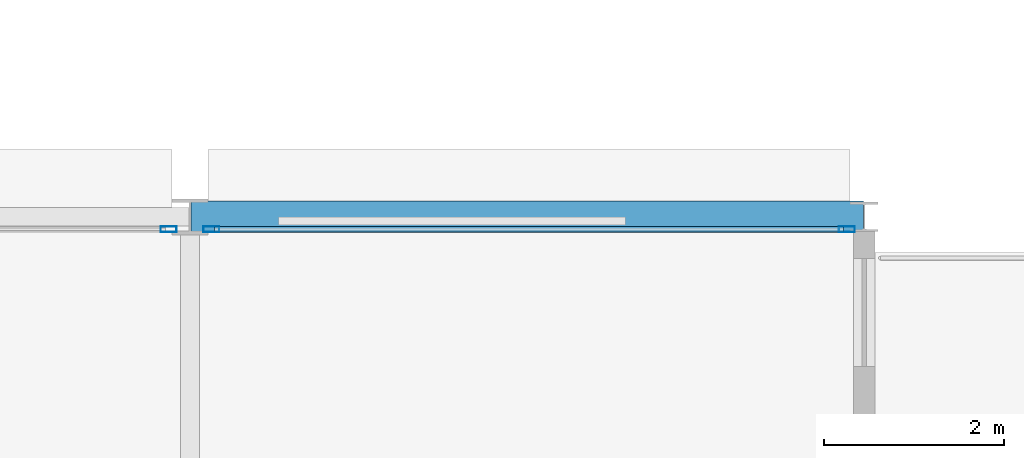
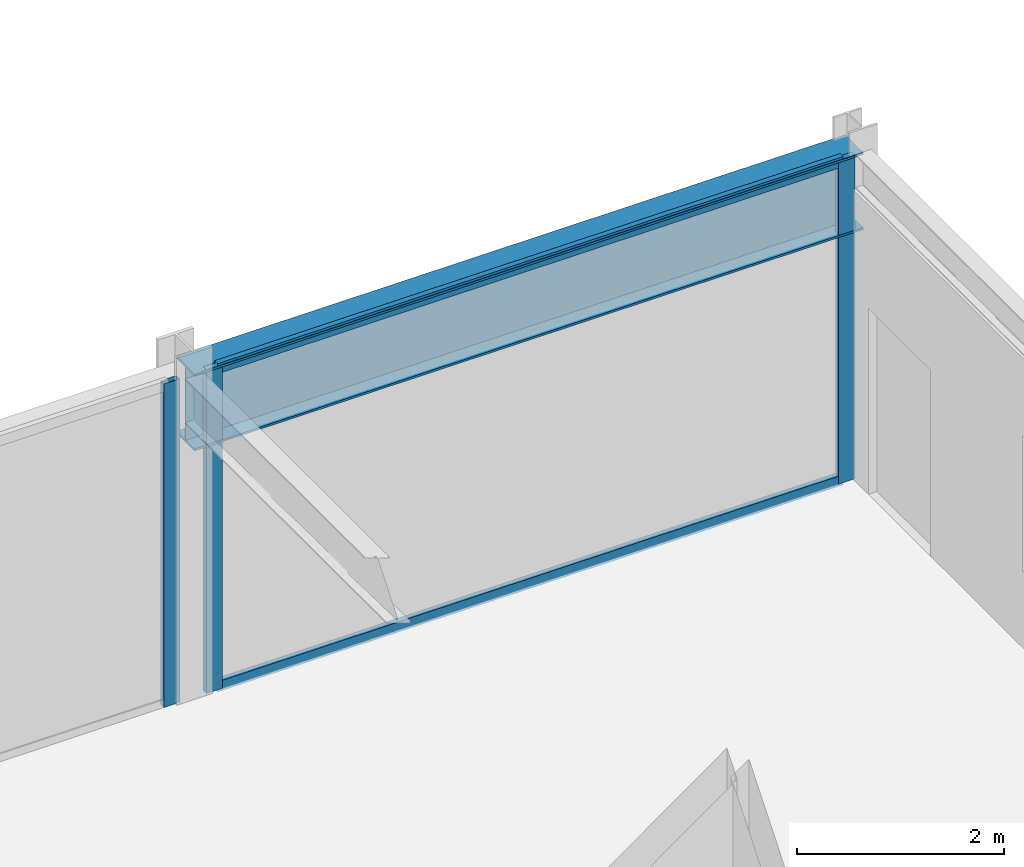
# One storey, part 22 of 39: 5 members, 1 beam, 2 elements without a shape of their own.
"""IFC4 building model written with IfcOpenShell, lengths in metres."""

from ifc_helpers import new_model, si_unit, direction, frame, origin, origin_2d, place, context, subcontext, project, spatial, hollow_rectangle, i_section, extrude, material, layer, layer_set, material_profile, profile_set, type_object, element, aggregate, save


model = new_model("IFC4")

# Units and contexts
model_context = context("Model", 3, precision=1e-05, world=origin(), true_north=direction((0.0, 1.0)))
body_context = subcontext(model_context, "Body", "Model", "MODEL_VIEW")
ifc_project = project(units=[si_unit("LENGTHUNIT", "METRE"), si_unit("AREAUNIT", "SQUARE_METRE"), si_unit("VOLUMEUNIT", "CUBIC_METRE"), si_unit("PLANEANGLEUNIT", "RADIAN"), si_unit("MASSUNIT", "GRAM", prefix="KILO")], contexts=[model_context])

# Site, building, storey
site_placement = place(None, origin())
site = spatial("IfcSite", under=ifc_project, at=site_placement, CompositionType="ELEMENT")
building_placement = place(site_placement, origin())
building = spatial("IfcBuilding", under=site, at=building_placement, Name="Nerrivon Quay Data Exchange", CompositionType="ELEMENT")
storey_placement = place(building_placement, frame((0.0, 0.0, 104.89990234375)))
storey = spatial("IfcBuildingStorey", under=building, at=storey_placement, Name="L24", CompositionType="ELEMENT", Elevation=104.89990234375)

# Beam
ifc_material_1 = material(Name="Steel Grade 350", Category="steel")
ifc_material_profile_1 = material_profile(ifc_material_1, i_section(OverallWidth=0.35009765625, OverallDepth=0.909912109375, WebThickness=0.011962890625, FlangeThickness=0.02490234375, at=origin_2d()), Name="900WB218")
ifc_profile_set_1 = profile_set([ifc_material_profile_1], Name="Steel Grade 350")
beam_type = type_object("IfcBeamType", Name="BM-CANT-900WB", PredefinedType="USERDEFINED", material=ifc_profile_set_1)
beam_placement = place(storey_placement, frame((50.41259765625, 25.199951171875, 3.3701171875), z_axis=(1.0, 0.0, 0.0), x_axis=(0.0, 1.0, 0.0)))
element("IfcBeam", 1, at=beam_placement, inside=storey, type_object=beam_type, Name="L24 East Hooked Cantilever Girder Y=25.2", ObjectType="TRANSFER", PredefinedType="USERDEFINED", context=body_context, shape_type="SweptSolid", body=[
    extrude(i_section(OverallWidth=0.35009765625, OverallDepth=0.909912109375, WebThickness=0.011962890625, FlangeThickness=0.02490234375, at=origin_2d()), origin(), (0.0, 0.0, 1.0), 7.4794921875),
])

# Curtain wall, member
ifc_material_2 = material(Name="Anodised aluminium 6063-T6", Category="aluminium")
ifc_layer_1 = layer(ifc_material_2, 0.2099609375)
ifc_layer_set_1 = layer_set([ifc_layer_1], Name="Anodised aluminium 6063-T6")
curtain_wall_type_1 = type_object("IfcCurtainWallType", Name="CW-SYS-02", PredefinedType="NOTDEFINED", material=ifc_layer_set_1)
curtain_wall_1_placement = place(storey_placement, origin())
curtain_wall_1 = element("IfcCurtainWall", 2, at=curtain_wall_1_placement, inside=storey, type_object=curtain_wall_type_1, Name="L24 Unitised Curtain Wall 34", PredefinedType="NOTDEFINED")
ifc_material_profile_2 = material_profile(ifc_material_2, hollow_rectangle(XDim=0.06494140625, YDim=0.179931640625, WallThickness=0.00341796875, at=origin_2d()), Name="ALU-MULL-180x65")
ifc_profile_set_2 = profile_set([ifc_material_profile_2], Name="Anodised aluminium 6063-T6")
member_type_1 = type_object("IfcMemberType", Name="CWM-180x65", PredefinedType="MULLION", material=ifc_profile_set_2)
member_1_placement = place(storey_placement, frame((50.16259765625, 25.06005859375, 0.0), z_axis=(0.0, 0.0, 1.0), x_axis=(0.0, 1.0, 0.0)))
member_1 = element("IfcMember", 3, at=member_1_placement, type_object=member_type_1, Name="CW02 mullion 2", PredefinedType="MULLION", context=body_context, shape_type="SweptSolid", body=[
    extrude(hollow_rectangle(XDim=0.06494140625, YDim=0.179931640625, WallThickness=0.00341796875, at=origin_2d()), origin(), (0.0, 0.0, 1.0), 3.8251953125),
])
aggregate(curtain_wall_1, [member_1])

# Curtain wall, members
ifc_layer_2 = layer(ifc_material_2, 0.199951171875)
ifc_layer_set_2 = layer_set([ifc_layer_2], Name="Anodised aluminium 6063-T6")
curtain_wall_type_2 = type_object("IfcCurtainWallType", Name="CW-SYS-04", PredefinedType="NOTDEFINED", material=ifc_layer_set_2)
curtain_wall_2_placement = place(storey_placement, origin())
curtain_wall_2 = element("IfcCurtainWall", 4, at=curtain_wall_2_placement, inside=storey, type_object=curtain_wall_type_2, Name="L24 Unitised Curtain Wall 35", PredefinedType="NOTDEFINED")
member_2_placement = place(storey_placement, frame((50.637451171875, 25.06005859375, 0.0), z_axis=(0.0, 0.0, 1.0), x_axis=(0.0, 1.0, 0.0)))
member_2 = element("IfcMember", 5, at=member_2_placement, type_object=member_type_1, Name="CW04 mullion 1", PredefinedType="MULLION", context=body_context, shape_type="SweptSolid", body=[
    extrude(hollow_rectangle(XDim=0.06494140625, YDim=0.179931640625, WallThickness=0.00341796875, at=origin_2d()), origin(), (0.0, 0.0, 1.0), 3.8251953125),
])
member_3_placement = place(storey_placement, frame((57.70703125, 25.06005859375, 0.0), z_axis=(0.0, 0.0, 1.0), x_axis=(0.0, 1.0, 0.0)))
member_3 = element("IfcMember", 6, at=member_3_placement, type_object=member_type_1, Name="CW04 mullion 2", PredefinedType="MULLION", context=body_context, shape_type="SweptSolid", body=[
    extrude(hollow_rectangle(XDim=0.06494140625, YDim=0.179931640625, WallThickness=0.00341796875, at=origin_2d()), origin(), (0.0, 0.0, 1.0), 3.8251953125),
])
ifc_material_profile_3 = material_profile(ifc_material_2, hollow_rectangle(XDim=0.06005859375, YDim=0.1201171875, WallThickness=0.003173828125, at=origin_2d()), Name="ALU-TRAN-120x60")
ifc_profile_set_3 = profile_set([ifc_material_profile_3], Name="Anodised aluminium 6063-T6")
member_type_2 = type_object("IfcMemberType", Name="CWT-120x60", PredefinedType="USERDEFINED", material=ifc_profile_set_3)
member_4_placement = place(storey_placement, frame((50.675048828125, 25.06005859375, 0.03271484375), z_axis=(1.0, 0.0, 0.0), x_axis=(0.0, 1.0, 0.0)))
member_4 = element("IfcMember", 7, at=member_4_placement, type_object=member_type_2, Name="CW04 transom 1.1", ObjectType="TRANSOM", PredefinedType="USERDEFINED", context=body_context, shape_type="SweptSolid", body=[
    extrude(hollow_rectangle(XDim=0.06005859375, YDim=0.1201171875, WallThickness=0.003173828125, at=origin_2d()), origin(), (0.0, 0.0, 1.0), 6.994384765625),
])
member_5_placement = place(storey_placement, frame((50.675048828125, 25.06005859375, 3.79248046875), z_axis=(1.0, 0.0, 0.0), x_axis=(0.0, 1.0, 0.0)))
member_5 = element("IfcMember", 8, at=member_5_placement, type_object=member_type_2, Name="CW04 transom 1.2", ObjectType="TRANSOM", PredefinedType="USERDEFINED", context=body_context, shape_type="SweptSolid", body=[
    extrude(hollow_rectangle(XDim=0.06005859375, YDim=0.1201171875, WallThickness=0.003173828125, at=origin_2d()), origin(), (0.0, 0.0, 1.0), 6.994384765625),
])
aggregate(curtain_wall_2, [member_2, member_3, member_4, member_5])

save(model, "model.ifc")
